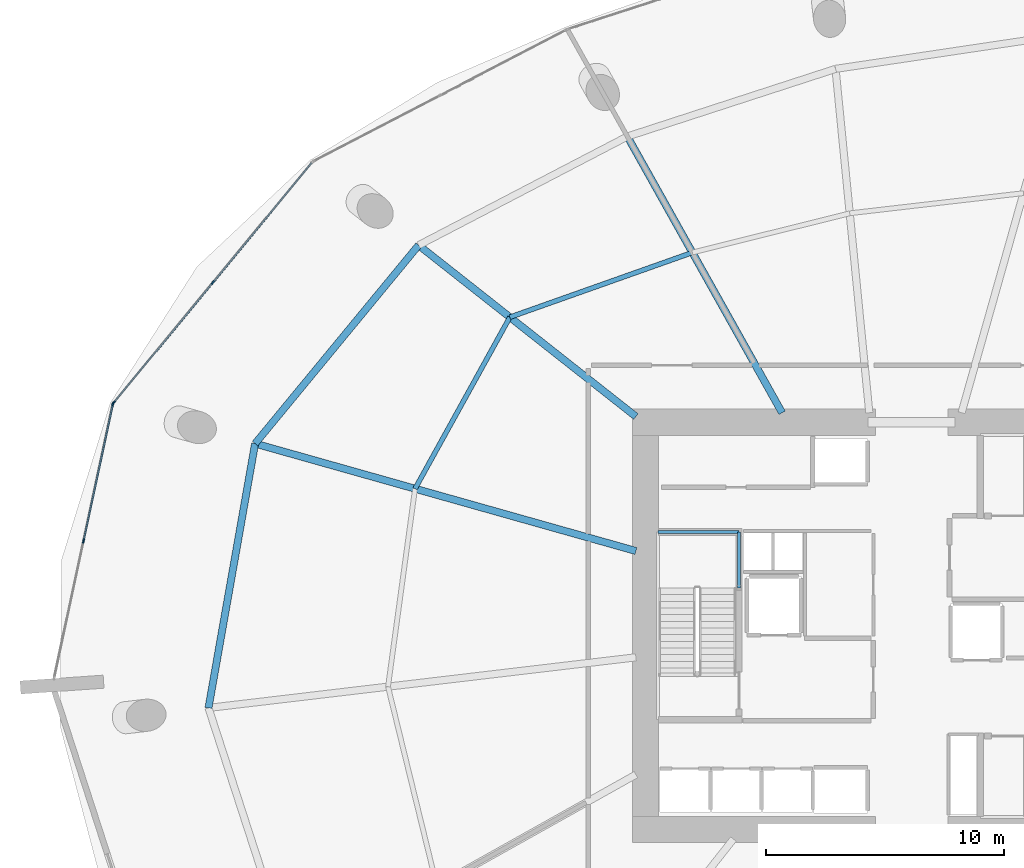
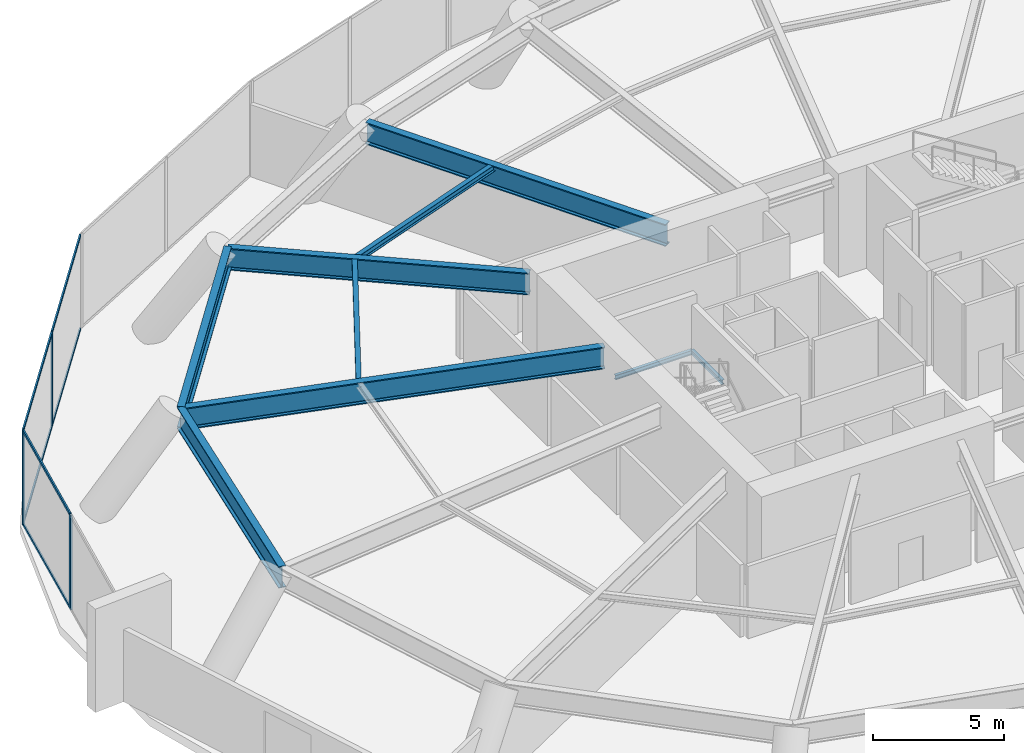
# One storey, part 11 of 21: 10 members, 9 beams, 2 elements without a shape of their own.
"""IFC4 building model written with IfcOpenShell, lengths in metres."""

from ifc_helpers import new_model, si_unit, direction, frame, origin, origin_2d, place, context, subcontext, project, spatial, rectangle, i_section, extrude, material, layer, layer_set, material_profile, profile_set, type_object, element, aggregate, save


model = new_model("IFC4")

# Units and contexts
model_context = context("Model", 3, precision=1e-05, world=origin(), true_north=direction((0.0, 1.0)))
body_context = subcontext(model_context, "Body", "Model", "MODEL_VIEW")
ifc_project = project(units=[si_unit("LENGTHUNIT", "METRE"), si_unit("AREAUNIT", "SQUARE_METRE"), si_unit("VOLUMEUNIT", "CUBIC_METRE"), si_unit("PLANEANGLEUNIT", "RADIAN"), si_unit("MASSUNIT", "GRAM", prefix="KILO")], contexts=[model_context])

# Site, building, storey
site_placement = place(None, origin())
site = spatial("IfcSite", under=ifc_project, at=site_placement, CompositionType="ELEMENT")
building_placement = place(site_placement, origin())
building = spatial("IfcBuilding", under=site, at=building_placement, Name="Kazma Halo Residences", CompositionType="ELEMENT")
storey_placement = place(building_placement, frame((0.0, 0.0, 21.60009765625)))
storey = spatial("IfcBuildingStorey", under=building, at=storey_placement, Name="L04", CompositionType="ELEMENT", Elevation=21.60009765625)

# Beams
ifc_material_1 = material(Name="Steel S355", Category="steel")
ifc_material_profile_1 = material_profile(ifc_material_1, i_section(OverallWidth=0.202880859375, OverallDepth=0.302978515625, WebThickness=0.007568359375, FlangeThickness=0.01318359375, FilletRadius=0.013916015625, at=origin_2d()), Name="W310x60")
ifc_profile_set_1 = profile_set([ifc_material_profile_1], Name="Steel S355")
beam_type_1 = type_object("IfcBeamType", Name="BM-SEC-W310A", PredefinedType="JOIST", material=ifc_profile_set_1)
beam_1_placement = place(storey_placement, frame((39.22021484375, 57.677734375, 4.248291015625), z_axis=(-0.942588828247, -0.333955537256, 0.0), x_axis=(0.333955537256, -0.942588828247, 0.0)))
element("IfcBeam", 1, at=beam_1_placement, inside=storey, type_object=beam_type_1, Name="L04 circumferential floor joist 05", PredefinedType="JOIST", context=body_context, shape_type="SweptSolid", body=[
    extrude(i_section(OverallWidth=0.202880859375, OverallDepth=0.302978515625, WebThickness=0.007568359375, FlangeThickness=0.01318359375, FilletRadius=0.013916015625, at=origin_2d()), origin(), (0.0, 0.0, 1.0), 8.130126953125),
])
beam_2_placement = place(storey_placement, frame((31.556884765625, 54.962646484375, 4.248291015625), z_axis=(-0.483818272085, -0.875168486405, 0.0), x_axis=(0.875168486405, -0.483818272085, 0.0)))
element("IfcBeam", 2, at=beam_2_placement, inside=storey, type_object=beam_type_1, Name="L04 circumferential floor joist 06", PredefinedType="JOIST", context=body_context, shape_type="SweptSolid", body=[
    extrude(i_section(OverallWidth=0.202880859375, OverallDepth=0.302978515625, WebThickness=0.007568359375, FlangeThickness=0.01318359375, FilletRadius=0.013916015625, at=origin_2d()), origin(), (0.0, 0.0, 1.0), 8.229736328125),
])
ifc_material_profile_2 = material_profile(ifc_material_1, i_section(OverallWidth=0.302001953125, OverallDepth=1.01806640625, WebThickness=0.021484375, FlangeThickness=0.049072265625, FilletRadius=0.028076171875, at=origin_2d()), Name="W1000x443")
ifc_profile_set_2 = profile_set([ifc_material_profile_2], Name="Steel S355")
beam_type_2 = type_object("IfcBeamType", Name="BM-TRANS-W1000A", PredefinedType="BEAM", material=ifc_profile_set_2)
beam_3_placement = place(storey_placement, frame((42.98779296875, 50.949951171875, 3.890869140625), z_axis=(-0.48862126281, 0.872495995137, 0.0), x_axis=(-0.872495995137, -0.48862126281, 0.0)))
element("IfcBeam", 3, at=beam_3_placement, inside=storey, type_object=beam_type_2, Name="L04 podium radial transfer girder 05", PredefinedType="BEAM", context=body_context, shape_type="SweptSolid", body=[
    extrude(i_section(OverallWidth=0.302001953125, OverallDepth=1.01806640625, WebThickness=0.021484375, FlangeThickness=0.049072265625, FilletRadius=0.028076171875, at=origin_2d()), origin(), (0.0, 0.0, 1.0), 13.294677734375),
])
beam_4_placement = place(storey_placement, frame((36.85009765625, 50.7900390625, 3.890869140625), z_axis=(-0.785327307834, 0.61908078598, 0.0), x_axis=(-0.61908078598, -0.785327307834, 0.0)))
element("IfcBeam", 4, at=beam_4_placement, inside=storey, type_object=beam_type_2, Name="L04 podium radial transfer girder 06", PredefinedType="BEAM", context=body_context, shape_type="SweptSolid", body=[
    extrude(i_section(OverallWidth=0.302001953125, OverallDepth=1.01806640625, WebThickness=0.021484375, FlangeThickness=0.049072265625, FilletRadius=0.028076171875, at=origin_2d()), origin(), (0.0, 0.0, 1.0), 11.62060546875),
])
beam_5_placement = place(storey_placement, frame((36.85009765625, 45.14453125, 3.890869140625), z_axis=(-0.96245381029, 0.27144550661, 0.0), x_axis=(-0.27144550661, -0.96245381029, 0.0)))
element("IfcBeam", 5, at=beam_5_placement, inside=storey, type_object=beam_type_2, Name="L04 podium radial transfer girder 07", PredefinedType="BEAM", context=body_context, shape_type="SweptSolid", body=[
    extrude(i_section(OverallWidth=0.302001953125, OverallDepth=1.01806640625, WebThickness=0.021484375, FlangeThickness=0.049072265625, FilletRadius=0.028076171875, at=origin_2d()), origin(), (0.0, 0.0, 1.0), 16.61474609375),
])
ifc_material_profile_3 = material_profile(ifc_material_1, i_section(OverallWidth=0.300048828125, OverallDepth=1.0, WebThickness=0.01904296875, FlangeThickness=0.0400390625, FilletRadius=0.02587890625, at=origin_2d()), Name="W1000x371")
ifc_profile_set_3 = profile_set([ifc_material_profile_3], Name="Steel S355")
beam_type_3 = type_object("IfcBeamType", Name="BM-TRANS-W1000B", PredefinedType="BEAM", material=ifc_profile_set_3)
beam_6_placement = place(storey_placement, frame((27.72412109375, 57.984130859375, 3.89990234375), z_axis=(-0.636001336663, -0.771687954916, 0.0), x_axis=(0.771687954916, -0.636001336663, 0.0)))
element("IfcBeam", 6, at=beam_6_placement, inside=storey, type_object=beam_type_3, Name="L04 perimeter ring beam 06", PredefinedType="BEAM", context=body_context, shape_type="SweptSolid", body=[
    extrude(i_section(OverallWidth=0.300048828125, OverallDepth=1.0, WebThickness=0.01904296875, FlangeThickness=0.0400390625, FilletRadius=0.02587890625, at=origin_2d()), origin(), (0.0, 0.0, 1.0), 10.7939453125),
])
beam_7_placement = place(storey_placement, frame((20.859130859375, 49.654541015625, 3.89990234375), z_axis=(-0.173651864005, -0.984807103004, 0.0), x_axis=(0.984807103004, -0.173651864005, 0.0)))
element("IfcBeam", 7, at=beam_7_placement, inside=storey, type_object=beam_type_3, Name="L04 perimeter ring beam 07", PredefinedType="BEAM", context=body_context, shape_type="SweptSolid", body=[
    extrude(i_section(OverallWidth=0.300048828125, OverallDepth=1.0, WebThickness=0.01904296875, FlangeThickness=0.0400390625, FilletRadius=0.02587890625, at=origin_2d()), origin(), (0.0, 0.0, 1.0), 11.269775390625),
])
ifc_material_profile_4 = material_profile(ifc_material_1, i_section(OverallWidth=0.133056640625, OverallDepth=0.20703125, WebThickness=0.005859375, FlangeThickness=0.00830078125, FilletRadius=0.010009765625, at=origin_2d()), Name="W200x26.6")
ifc_profile_set_4 = profile_set([ifc_material_profile_4], Name="Steel S355")
beam_type_4 = type_object("IfcBeamType", Name="BM-TRIM-W200", PredefinedType="BEAM", material=ifc_profile_set_4)
beam_8_placement = place(storey_placement, frame((41.179931640625, 43.590087890625, 2.094970703125), z_axis=(0.0, 1.0, 0.0), x_axis=(-1.0, 0.0, 0.0)))
element("IfcBeam", 8, at=beam_8_placement, inside=storey, type_object=beam_type_4, Name="L04 ST-01 landing east wall ledger", PredefinedType="BEAM", context=body_context, shape_type="SweptSolid", body=[
    extrude(i_section(OverallWidth=0.133056640625, OverallDepth=0.20703125, WebThickness=0.005859375, FlangeThickness=0.00830078125, FilletRadius=0.010009765625, at=origin_2d()), origin(), (0.0, 0.0, 1.0), 2.349853515625),
])
beam_9_placement = place(storey_placement, frame((37.780029296875, 45.93994140625, 2.094970703125), z_axis=(1.0, 0.0, 0.0), x_axis=(0.0, 1.0, 0.0)))
element("IfcBeam", 9, at=beam_9_placement, inside=storey, type_object=beam_type_4, Name="L04 ST-01 landing end wall ledger", PredefinedType="BEAM", context=body_context, shape_type="SweptSolid", body=[
    extrude(i_section(OverallWidth=0.133056640625, OverallDepth=0.20703125, WebThickness=0.005859375, FlangeThickness=0.00830078125, FilletRadius=0.010009765625, at=origin_2d()), origin(), (0.0, 0.0, 1.0), 3.39990234375),
])

# Curtain wall, members
ifc_material_2 = material(Name="Aluminium AW-6063 T6 and Triple-Silver Low-E Glass", Category="aluminium")
ifc_layer = layer(ifc_material_2, 0.179931640625)
ifc_layer_set = layer_set([ifc_layer], Name="Aluminium AW-6063 T6 and Triple-Silver Low-E Glass")
curtain_wall_type = type_object("IfcCurtainWallType", Name="CW-SYS-1", PredefinedType="NOTDEFINED", material=ifc_layer_set)
curtain_wall_1_placement = place(storey_placement, origin())
curtain_wall_1 = element("IfcCurtainWall", 10, at=curtain_wall_1_placement, inside=storey, type_object=curtain_wall_type, Name="L04 unitised curtain wall B06", PredefinedType="NOTDEFINED")
ifc_material_3 = material(Name="Aluminium AW-6063 T6", Category="aluminium")
ifc_material_profile_5 = material_profile(ifc_material_3, rectangle(XDim=0.06494140625, YDim=0.179931640625, at=origin_2d()), Name="CWM-65x180")
ifc_profile_set_5 = profile_set([ifc_material_profile_5], Name="Aluminium AW-6063 T6")
member_type_1 = type_object("IfcMemberType", Name="CW-SYS-1-MUL", PredefinedType="MULLION", material=ifc_profile_set_5)
member_1_placement = place(storey_placement, frame((19.084716796875, 56.4140625, 0.0), z_axis=(0.0, 0.0, 1.0), x_axis=(0.771191775002, -0.636602895194, 0.0)))
member_1 = element("IfcMember", 11, at=member_1_placement, type_object=member_type_1, Name="CWS-1 mullion 2", PredefinedType="MULLION", context=body_context, shape_type="SweptSolid", body=[
    extrude(rectangle(XDim=0.06494140625, YDim=0.179931640625, at=origin_2d()), origin(), (0.0, 0.0, 1.0), 4.39990234375),
])
member_2_placement = place(storey_placement, frame((14.91455078125, 51.362060546875, 0.0), z_axis=(0.0, 0.0, 1.0), x_axis=(0.771191775002, -0.636602895194, 0.0)))
member_2 = element("IfcMember", 12, at=member_2_placement, type_object=member_type_1, Name="CWS-1 mullion 3", PredefinedType="MULLION", context=body_context, shape_type="SweptSolid", body=[
    extrude(rectangle(XDim=0.06494140625, YDim=0.179931640625, at=origin_2d()), origin(), (0.0, 0.0, 1.0), 4.39990234375),
])

curtain_wall_2_placement = place(storey_placement, origin())
curtain_wall_2 = element("IfcCurtainWall", 13, at=curtain_wall_2_placement, inside=storey, type_object=curtain_wall_type, Name="L04 unitised curtain wall B07", PredefinedType="NOTDEFINED")
member_3_placement = place(storey_placement, frame((14.886962890625, 51.30517578125, 0.0), z_axis=(0.0, 0.0, 1.0), x_axis=(0.977788157631, -0.209595607771, 0.0)))
member_3 = element("IfcMember", 14, at=member_3_placement, type_object=member_type_1, Name="CWS-1 mullion 1", PredefinedType="MULLION", context=body_context, shape_type="SweptSolid", body=[
    extrude(rectangle(XDim=0.06494140625, YDim=0.179931640625, at=origin_2d()), origin(), (0.0, 0.0, 1.0), 4.39990234375),
])
member_4_placement = place(storey_placement, frame((13.656494140625, 45.564697265625, 0.0), z_axis=(0.0, 0.0, 1.0), x_axis=(0.977788157631, -0.209595607771, 0.0)))
member_4 = element("IfcMember", 15, at=member_4_placement, type_object=member_type_1, Name="CWS-1 mullion 2", PredefinedType="MULLION", context=body_context, shape_type="SweptSolid", body=[
    extrude(rectangle(XDim=0.06494140625, YDim=0.179931640625, at=origin_2d()), origin(), (0.0, 0.0, 1.0), 4.39990234375),
])

# Member
ifc_material_profile_6 = material_profile(ifc_material_3, rectangle(XDim=0.06494140625, YDim=0.135009765625, at=origin_2d()), Name="CWT-65x135")
ifc_profile_set_6 = profile_set([ifc_material_profile_6], Name="Aluminium AW-6063 T6")
member_type_2 = type_object("IfcMemberType", Name="CW-SYS-1-TRN", PredefinedType="USERDEFINED", material=ifc_profile_set_6)
member_5_placement = place(storey_placement, frame((23.234375, 61.44091796875, 0.032470703125), z_axis=(-0.636593466061, -0.771199558459, 0.0), x_axis=(0.771199558459, -0.636593466061, 0.0)))
member_5 = element("IfcMember", 16, at=member_5_placement, type_object=member_type_2, Name="CWS-1 transom 1.1", ObjectType="TRANSOM", PredefinedType="USERDEFINED", context=body_context, shape_type="SweptSolid", body=[
    extrude(rectangle(XDim=0.06494140625, YDim=0.135009765625, at=origin_2d()), origin(), (0.0, 0.0, 1.0), 6.48583984375),
])

member_6_placement = place(storey_placement, frame((23.234375, 61.44091796875, 4.367431640625), z_axis=(-0.636593466061, -0.771199558459, 0.0), x_axis=(0.771199558459, -0.636593466061, 0.0)))
member_6 = element("IfcMember", 17, at=member_6_placement, type_object=member_type_2, Name="CWS-1 transom 1.2", ObjectType="TRANSOM", PredefinedType="USERDEFINED", context=body_context, shape_type="SweptSolid", body=[
    extrude(rectangle(XDim=0.06494140625, YDim=0.135009765625, at=origin_2d()), origin(), (0.0, 0.0, 1.0), 6.48583984375),
])

member_7_placement = place(storey_placement, frame((19.064208984375, 56.388916015625, 0.032470703125), z_axis=(-0.636615852507, -0.771181078825, 0.0), x_axis=(0.771181078825, -0.636615852507, 0.0)))
member_7 = element("IfcMember", 18, at=member_7_placement, type_object=member_type_2, Name="CWS-1 transom 2.1", ObjectType="TRANSOM", PredefinedType="USERDEFINED", context=body_context, shape_type="SweptSolid", body=[
    extrude(rectangle(XDim=0.06494140625, YDim=0.135009765625, at=origin_2d()), origin(), (0.0, 0.0, 1.0), 6.486083984375),
])

member_8_placement = place(storey_placement, frame((19.064208984375, 56.388916015625, 4.367431640625), z_axis=(-0.636615852507, -0.771181078825, 0.0), x_axis=(0.771181078825, -0.636615852507, 0.0)))
member_8 = element("IfcMember", 19, at=member_8_placement, type_object=member_type_2, Name="CWS-1 transom 2.2", ObjectType="TRANSOM", PredefinedType="USERDEFINED", context=body_context, shape_type="SweptSolid", body=[
    extrude(rectangle(XDim=0.06494140625, YDim=0.135009765625, at=origin_2d()), origin(), (0.0, 0.0, 1.0), 6.486083984375),
])

aggregate(curtain_wall_1, [member_1, member_2, member_5, member_6, member_7, member_8])

member_9_placement = place(storey_placement, frame((14.880126953125, 51.2734375, 0.032470703125), z_axis=(-0.209577907659, -0.977791951604, 0.0), x_axis=(0.977791951604, -0.209577907659, 0.0)))
member_9 = element("IfcMember", 20, at=member_9_placement, type_object=member_type_2, Name="CWS-1 transom 1.1", ObjectType="TRANSOM", PredefinedType="USERDEFINED", context=body_context, shape_type="SweptSolid", body=[
    extrude(rectangle(XDim=0.06494140625, YDim=0.135009765625, at=origin_2d()), origin(), (0.0, 0.0, 1.0), 5.805908203125),
])

member_10_placement = place(storey_placement, frame((14.880126953125, 51.2734375, 4.367431640625), z_axis=(-0.209577907659, -0.977791951604, 0.0), x_axis=(0.977791951604, -0.209577907659, 0.0)))
member_10 = element("IfcMember", 21, at=member_10_placement, type_object=member_type_2, Name="CWS-1 transom 1.2", ObjectType="TRANSOM", PredefinedType="USERDEFINED", context=body_context, shape_type="SweptSolid", body=[
    extrude(rectangle(XDim=0.06494140625, YDim=0.135009765625, at=origin_2d()), origin(), (0.0, 0.0, 1.0), 5.805908203125),
])

aggregate(curtain_wall_2, [member_3, member_4, member_9, member_10])

save(model, "model.ifc")
